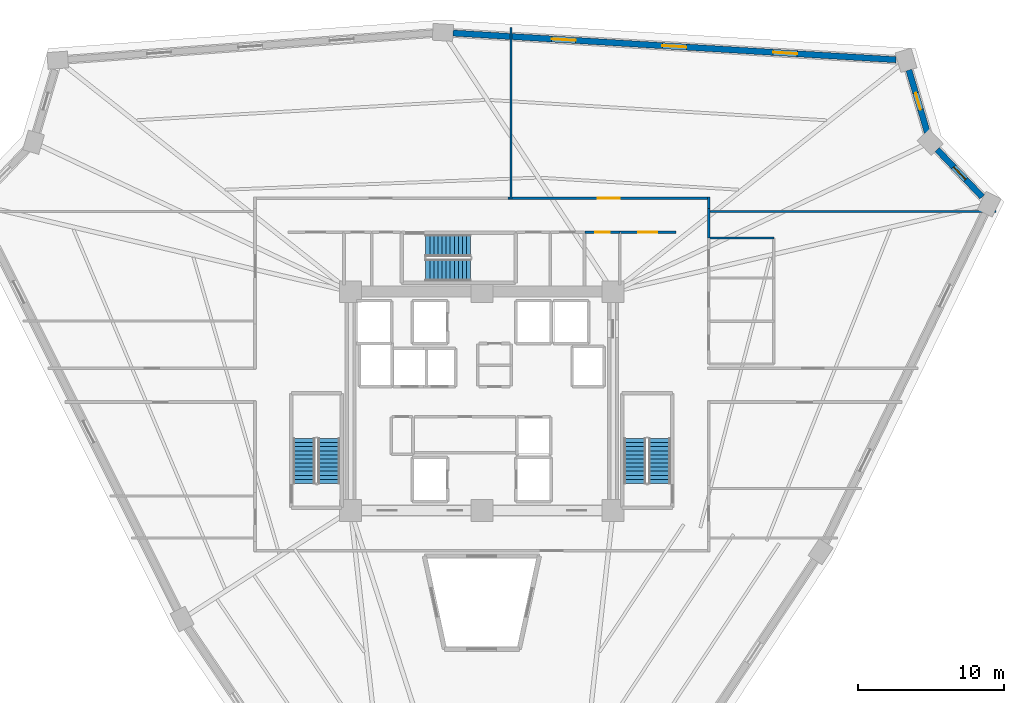
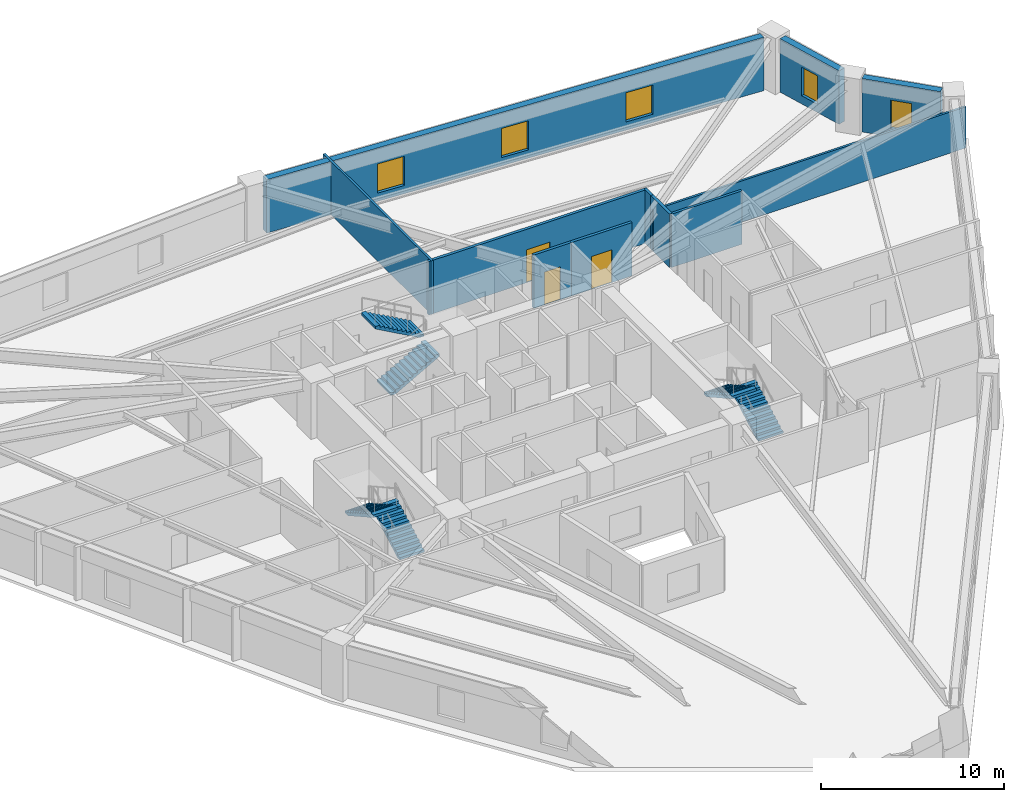
# One storey, part 7 of 8: 11 walls, 6 stair flights, 5 windows, 3 doors, 8 openings, 3 elements without a shape of their own.
"""IFC4 building model written with IfcOpenShell, lengths in metres."""

from ifc_helpers import new_model, si_unit, direction, frame, frame_2d, origin, place, context, subcontext, project, spatial, polyline, rectangle, outline, extrude, source, transform, mapped, material, layer, layer_set, type_object, element, fill, aggregate, save


model = new_model("IFC4")

# Units and contexts
model_context = context("Model", 3, precision=1e-05, world=origin(), true_north=direction((0.0, 1.0)))
body_context = subcontext(model_context, "Body", "Model", "MODEL_VIEW")
ifc_project = project(units=[si_unit("LENGTHUNIT", "METRE"), si_unit("AREAUNIT", "SQUARE_METRE"), si_unit("VOLUMEUNIT", "CUBIC_METRE"), si_unit("PLANEANGLEUNIT", "RADIAN"), si_unit("MASSUNIT", "GRAM", prefix="KILO")], contexts=[model_context])

# Site, building, storey
site_placement = place(None, origin())
site = spatial("IfcSite", under=ifc_project, at=site_placement, CompositionType="ELEMENT")
building_placement = place(site_placement, origin())
building = spatial("IfcBuilding", under=site, at=building_placement, Name="Liaohun Quay Tower", CompositionType="ELEMENT")
storey_placement = place(building_placement, frame((0.0, 0.0, 170.25)))
storey = spatial("IfcBuildingStorey", under=building, at=storey_placement, Name="L44", CompositionType="ELEMENT", Elevation=170.25)

# Wall, opening, window
ifc_material_1 = material(Name="Precast concrete C50 insulated sandwich", Category="concrete")
ifc_layer_1 = layer(ifc_material_1, 0.419921875, Name="Precast concrete C50 insulated sandwich", Category="concrete")
ifc_layer_set_1 = layer_set([ifc_layer_1], Name="Precast concrete C50 insulated sandwich")
wall_type_1 = type_object("IfcWallType", Name="WAL-EXT-Z12", PredefinedType="SOLIDWALL", material=ifc_layer_set_1)
wall_1_placement = place(storey_placement, frame((94.31103515625, 68.0029296875, 0.0), z_axis=(0.0, 0.0, 1.0), x_axis=(-0.689155878993, 0.724613120534, 0.0)))
wall_1 = element("IfcWall", 1, at=wall_1_placement, inside=storey, type_object=wall_type_1, Name="L44 Brutalist Precast Pier Wall 04", PredefinedType="SOLIDWALL", context=body_context, shape_type="SweptSolid", body=[
    extrude(rectangle(XDim=4.482421875, YDim=0.419921875, at=frame_2d((2.2412109375, 0.0))), origin(), (0.0, 0.0, 1.0), 3.570068359375),
])
shared_shape_1 = source(origin(), body_context, "Body", "SweptSolid", [
    extrude(rectangle(XDim=1.199951171875, YDim=1.89990234375, at=frame_2d((0.60009765625, 0.949951171875))), frame((0.0, 0.219970703125, 0.0), z_axis=(0.0, -1.0, 0.0), x_axis=(1.0, 0.0, 0.0)), (0.0, 0.0, 1.0), 0.43994140625),
])
opening_1_placement = place(wall_1_placement, frame((1.64111328125, 0.0, 0.550048828125)))
opening_1 = element("IfcOpeningElement", 2, at=opening_1_placement, cuts=wall_1, Name="Opening W05", PredefinedType="OPENING", context=body_context, shape_type="MappedRepresentation", body=[
    mapped(shared_shape_1, transform((0.0, 0.0, 0.0), x_axis=(1.0, 0.0, 0.0), y_axis=(0.0, 1.0, 0.0), z_axis=(0.0, 0.0, 1.0), scale=1.0)),
])
ifc_material_2 = material(Name="Triple Low-E corner notch glazing", Category="glass")
window_type_1 = type_object("IfcWindowType", Name="WIN-NOTCH", PartitioningType="SINGLE_PANEL", PredefinedType="WINDOW", material=ifc_material_2)
shared_shape_2 = source(origin(), body_context, "Body", "SweptSolid", [
    extrude(rectangle(XDim=1.199951171875, YDim=1.89990234375, at=frame_2d((0.60009765625, 0.949951171875))), frame((0.0, 0.030029296875, 0.0), z_axis=(0.0, -1.0, 0.0), x_axis=(1.0, 0.0, 0.0)), (0.0, 0.0, 1.0), 0.06005859375),
])
window_1_placement = place(opening_1_placement, origin())
window_1 = element("IfcWindow", 3, at=window_1_placement, inside=storey, type_object=window_type_1, Name="L44 Corner Notch Window W05-04", OverallHeight=1.89990234375, OverallWidth=1.199951171875, PartitioningType="SINGLE_PANEL", PredefinedType="WINDOW", context=body_context, shape_type="MappedRepresentation", body=[
    mapped(shared_shape_2, transform((0.0, 0.0, 0.0), x_axis=(1.0, 0.0, 0.0), y_axis=(0.0, 1.0, 0.0), z_axis=(0.0, 0.0, 1.0), scale=1.0)),
])
fill(opening_1, window_1)

wall_2_placement = place(storey_placement, frame((90.551025390625, 72.4130859375, 0.0), z_axis=(0.0, 0.0, 1.0), x_axis=(-0.28308162585, 0.959095820607, 0.0)))
wall_2 = element("IfcWall", 4, at=wall_2_placement, inside=storey, type_object=wall_type_1, Name="L44 Brutalist Precast Pier Wall 05", PredefinedType="SOLIDWALL", context=body_context, shape_type="SweptSolid", body=[
    extrude(rectangle(XDim=4.47607421875, YDim=0.419921875, at=frame_2d((2.238037109375, 0.0))), origin(), (0.0, 0.0, 1.0), 3.570068359375),
])
opening_2_placement = place(wall_2_placement, frame((1.637939453125, 0.0, 0.550048828125)))
opening_2 = element("IfcOpeningElement", 5, at=opening_2_placement, cuts=wall_2, Name="Opening W05", PredefinedType="OPENING", context=body_context, shape_type="MappedRepresentation", body=[
    mapped(shared_shape_1, transform((0.0, 0.0, 0.0), x_axis=(1.0, 0.0, 0.0), y_axis=(0.0, 1.0, 0.0), z_axis=(0.0, 0.0, 1.0), scale=1.0)),
])
window_2_placement = place(opening_2_placement, origin())
window_2 = element("IfcWindow", 6, at=window_2_placement, inside=storey, type_object=window_type_1, Name="L44 Corner Notch Window W05-05", OverallHeight=1.89990234375, OverallWidth=1.199951171875, PartitioningType="SINGLE_PANEL", PredefinedType="WINDOW", context=body_context, shape_type="MappedRepresentation", body=[
    mapped(shared_shape_2, transform((0.0, 0.0, 0.0), x_axis=(1.0, 0.0, 0.0), y_axis=(0.0, 1.0, 0.0), z_axis=(0.0, 0.0, 1.0), scale=1.0)),
])
fill(opening_2, window_2)

# Wall, openings, windows
wall_3_placement = place(storey_placement, frame((88.39990234375, 77.409912109375, 0.0), z_axis=(0.0, 0.0, 1.0), x_axis=(-0.998188812237, 0.060158915591, 0.0)))
wall_3 = element("IfcWall", 7, at=wall_3_placement, inside=storey, type_object=wall_type_1, Name="L44 Brutalist Precast Pier Wall 06", PredefinedType="SOLIDWALL", context=body_context, shape_type="SweptSolid", body=[
    extrude(rectangle(XDim=30.43701171875, YDim=0.419921875, at=frame_2d((15.218505859375, 0.0))), origin(), (0.0, 0.0, 1.0), 3.570068359375),
])
shared_shape_3 = source(origin(), body_context, "Body", "SweptSolid", [
    extrude(rectangle(XDim=1.64990234375, YDim=1.949951171875, at=frame_2d((0.824951171875, 0.97509765625))), frame((0.0, 0.219970703125, 0.0), z_axis=(0.0, -1.0, 0.0), x_axis=(1.0, 0.0, 0.0)), (0.0, 0.0, 1.0), 0.43994140625),
])
opening_3_placement = place(wall_3_placement, frame((6.783935546875, 0.0, 0.550048828125)))
opening_3 = element("IfcOpeningElement", 8, at=opening_3_placement, cuts=wall_3, Name="Opening W02", PredefinedType="OPENING", context=body_context, shape_type="MappedRepresentation", body=[
    mapped(shared_shape_3, transform((0.0, 0.0, 0.0), x_axis=(1.0, 0.0, 0.0), y_axis=(0.0, 1.0, 0.0), z_axis=(0.0, 0.0, 1.0), scale=1.0)),
])
opening_4_placement = place(wall_3_placement, frame((14.39404296875, 0.0, 0.550048828125)))
opening_4 = element("IfcOpeningElement", 9, at=opening_4_placement, cuts=wall_3, Name="Opening W02", PredefinedType="OPENING", context=body_context, shape_type="MappedRepresentation", body=[
    mapped(shared_shape_3, transform((0.0, 0.0, 0.0), x_axis=(1.0, 0.0, 0.0), y_axis=(0.0, 1.0, 0.0), z_axis=(0.0, 0.0, 1.0), scale=1.0)),
])
opening_5_placement = place(wall_3_placement, frame((22.0029296875, 0.0, 0.550048828125)))
opening_5 = element("IfcOpeningElement", 10, at=opening_5_placement, cuts=wall_3, Name="Opening W02", PredefinedType="OPENING", context=body_context, shape_type="MappedRepresentation", body=[
    mapped(shared_shape_3, transform((0.0, 0.0, 0.0), x_axis=(1.0, 0.0, 0.0), y_axis=(0.0, 1.0, 0.0), z_axis=(0.0, 0.0, 1.0), scale=1.0)),
])
ifc_material_3 = material(Name="Triple Low-E argon glazing in thermally broken aluminium", Category="aluminium")
window_type_2 = type_object("IfcWindowType", Name="WIN-PUN-Z2", PartitioningType="DOUBLE_PANEL_VERTICAL", PredefinedType="WINDOW", material=ifc_material_3)
shared_shape_4 = source(origin(), body_context, "Body", "SweptSolid", [
    extrude(rectangle(XDim=1.64990234375, YDim=1.949951171875, at=frame_2d((0.824951171875, 0.97509765625))), frame((0.0, 0.030029296875, 0.0), z_axis=(0.0, -1.0, 0.0), x_axis=(1.0, 0.0, 0.0)), (0.0, 0.0, 1.0), 0.06005859375),
])
window_3_placement = place(opening_3_placement, origin())
window_3 = element("IfcWindow", 11, at=window_3_placement, inside=storey, type_object=window_type_2, Name="L44 Recessed Cold-Climate Punched Window 06-1", OverallHeight=1.949951171875, OverallWidth=1.64990234375, PartitioningType="DOUBLE_PANEL_VERTICAL", PredefinedType="WINDOW", context=body_context, shape_type="MappedRepresentation", body=[
    mapped(shared_shape_4, transform((0.0, 0.0, 0.0), x_axis=(1.0, 0.0, 0.0), y_axis=(0.0, 1.0, 0.0), z_axis=(0.0, 0.0, 1.0), scale=1.0)),
])
fill(opening_3, window_3)
window_4_placement = place(opening_4_placement, origin())
window_4 = element("IfcWindow", 12, at=window_4_placement, inside=storey, type_object=window_type_2, Name="L44 Recessed Cold-Climate Punched Window 06-2", OverallHeight=1.949951171875, OverallWidth=1.64990234375, PartitioningType="DOUBLE_PANEL_VERTICAL", PredefinedType="WINDOW", context=body_context, shape_type="MappedRepresentation", body=[
    mapped(shared_shape_4, transform((0.0, 0.0, 0.0), x_axis=(1.0, 0.0, 0.0), y_axis=(0.0, 1.0, 0.0), z_axis=(0.0, 0.0, 1.0), scale=1.0)),
])
fill(opening_4, window_4)
window_5_placement = place(opening_5_placement, origin())
window_5 = element("IfcWindow", 13, at=window_5_placement, inside=storey, type_object=window_type_2, Name="L44 Recessed Cold-Climate Punched Window 06-3", OverallHeight=1.949951171875, OverallWidth=1.64990234375, PartitioningType="DOUBLE_PANEL_VERTICAL", PredefinedType="WINDOW", context=body_context, shape_type="MappedRepresentation", body=[
    mapped(shared_shape_4, transform((0.0, 0.0, 0.0), x_axis=(1.0, 0.0, 0.0), y_axis=(0.0, 1.0, 0.0), z_axis=(0.0, 0.0, 1.0), scale=1.0)),
])
fill(opening_5, window_5)

# Wall, opening, door
ifc_material_4 = material(Name="Autoclaved aerated concrete blockwork", Category="masonry")
ifc_layer_2 = layer(ifc_material_4, 0.179931640625, Name="Autoclaved aerated concrete blockwork", Category="masonry")
ifc_layer_set_2 = layer_set([ifc_layer_2], Name="Autoclaved aerated concrete blockwork")
wall_type_2 = type_object("IfcWallType", Name="WAL-PRT-COR", PredefinedType="PARTITIONING", material=ifc_layer_set_2)
wall_4_placement = place(storey_placement, frame((67.080078125, 65.580078125, 0.0), z_axis=(0.0, 0.0, 1.0), x_axis=(1.0, 0.0, 0.0)))
wall_4 = element("IfcWall", 14, at=wall_4_placement, inside=storey, type_object=wall_type_2, Name="L44 Interior Partition Wall 012", PredefinedType="PARTITIONING", context=body_context, shape_type="SweptSolid", body=[
    extrude(rectangle(XDim=2.3798828125, YDim=0.179931640625, at=frame_2d((1.18994140625, 0.0))), origin(), (0.0, 0.0, 1.0), 3.570068359375),
])
shared_shape_5 = source(origin(), body_context, "Body", "SweptSolid", [
    extrude(rectangle(XDim=1.0, YDim=2.199951171875, at=frame_2d((0.5, 1.10009765625))), frame((0.0, 0.099853515625, 0.0), z_axis=(0.0, -1.0, 0.0), x_axis=(1.0, 0.0, 0.0)), (0.0, 0.0, 1.0), 0.199951171875),
])
opening_6_placement = place(wall_4_placement, frame((0.68994140625, 0.0, 0.0)))
opening_6 = element("IfcOpeningElement", 15, at=opening_6_placement, cuts=wall_4, Name="Opening OD1", PredefinedType="OPENING", context=body_context, shape_type="MappedRepresentation", body=[
    mapped(shared_shape_5, transform((0.0, 0.0, 0.0), x_axis=(1.0, 0.0, 0.0), y_axis=(0.0, 1.0, 0.0), z_axis=(0.0, 0.0, 1.0), scale=1.0)),
])
ifc_material_5 = material(Name="Solid-core oak veneer timber leaf in steel frame", Category="steel")
door_type_1 = type_object("IfcDoorType", Name="DOR-OFF-1000", OperationType="NOTDEFINED", PredefinedType="DOOR", material=ifc_material_5)
shared_shape_6 = source(origin(), body_context, "Body", "SweptSolid", [
    extrude(rectangle(XDim=1.0, YDim=2.199951171875, at=frame_2d((0.5, 1.10009765625))), frame((0.0, 0.02490234375, 0.0), z_axis=(0.0, -1.0, 0.0), x_axis=(1.0, 0.0, 0.0)), (0.0, 0.0, 1.0), 0.050048828125),
])
door_1_placement = place(opening_6_placement, origin())
door_1 = element("IfcDoor", 16, at=door_1_placement, inside=storey, type_object=door_type_1, Name="L44 North-East Cleaner Store Door", OperationType="SINGLE_SWING_LEFT", OverallHeight=2.199951171875, OverallWidth=1.0, PredefinedType="DOOR", context=body_context, shape_type="MappedRepresentation", body=[
    mapped(shared_shape_6, transform((0.0, 0.0, 0.0), x_axis=(1.0, 0.0, 0.0), y_axis=(0.0, 1.0, 0.0), z_axis=(0.0, 0.0, 1.0), scale=1.0)),
])
fill(opening_6, door_1)

wall_5_placement = place(storey_placement, frame((69.4599609375, 65.580078125, 0.0), z_axis=(0.0, 0.0, 1.0), x_axis=(1.0, 0.0, 0.0)))
wall_5 = element("IfcWall", 17, at=wall_5_placement, inside=storey, type_object=wall_type_2, Name="L44 Interior Partition Wall 014", PredefinedType="PARTITIONING", context=body_context, shape_type="SweptSolid", body=[
    extrude(rectangle(XDim=3.840087890625, YDim=0.179931640625, at=frame_2d((1.919921875, 0.0))), origin(), (0.0, 0.0, 1.0), 3.570068359375),
])
shared_shape_7 = source(origin(), body_context, "Body", "SweptSolid", [
    extrude(rectangle(XDim=1.300048828125, YDim=2.199951171875, at=frame_2d((0.64990234375, 1.10009765625))), frame((0.0, 0.099853515625, 0.0), z_axis=(0.0, -1.0, 0.0), x_axis=(1.0, 0.0, 0.0)), (0.0, 0.0, 1.0), 0.199951171875),
])
opening_7_placement = place(wall_5_placement, frame((1.27001953125, 0.0, 0.0)))
opening_7 = element("IfcOpeningElement", 18, at=opening_7_placement, cuts=wall_5, Name="Opening FD1", PredefinedType="OPENING", context=body_context, shape_type="MappedRepresentation", body=[
    mapped(shared_shape_7, transform((0.0, 0.0, 0.0), x_axis=(1.0, 0.0, 0.0), y_axis=(0.0, 1.0, 0.0), z_axis=(0.0, 0.0, 1.0), scale=1.0)),
])
ifc_material_6 = material(Name="Galvanised steel smokeproof fire door", Category="steel")
door_type_2 = type_object("IfcDoorType", Name="DOR-FFL-1300", OperationType="NOTDEFINED", PredefinedType="DOOR", material=ifc_material_6)
shared_shape_8 = source(origin(), body_context, "Body", "SweptSolid", [
    extrude(rectangle(XDim=1.300048828125, YDim=2.199951171875, at=frame_2d((0.64990234375, 1.10009765625))), frame((0.0, 0.02490234375, 0.0), z_axis=(0.0, -1.0, 0.0), x_axis=(1.0, 0.0, 0.0)), (0.0, 0.0, 1.0), 0.050048828125),
])
door_2_placement = place(opening_7_placement, origin())
door_2 = element("IfcDoor", 19, at=door_2_placement, inside=storey, type_object=door_type_2, Name="L44 East Core Vestibule Door", OperationType="SINGLE_SWING_LEFT", OverallHeight=2.199951171875, OverallWidth=1.300048828125, PredefinedType="DOOR", context=body_context, shape_type="MappedRepresentation", body=[
    mapped(shared_shape_8, transform((0.0, 0.0, 0.0), x_axis=(1.0, 0.0, 0.0), y_axis=(0.0, 1.0, 0.0), z_axis=(0.0, 0.0, 1.0), scale=1.0)),
])
fill(opening_7, door_2)

wall_6_placement = place(storey_placement, frame((61.784912109375, 67.909912109375, 0.0), z_axis=(0.0, 0.0, 1.0), x_axis=(1.0, 0.0, 0.0)))
wall_6 = element("IfcWall", 20, at=wall_6_placement, inside=storey, type_object=wall_type_2, Name="L44 Interior Partition Wall 016", PredefinedType="PARTITIONING", context=body_context, shape_type="SweptSolid", body=[
    extrude(rectangle(XDim=13.844970703125, YDim=0.179931640625, at=frame_2d((6.92236328125, 0.0))), origin(), (0.0, 0.0, 1.0), 3.570068359375),
])
shared_shape_9 = source(origin(), body_context, "Body", "SweptSolid", [
    extrude(rectangle(XDim=1.5, YDim=2.199951171875, at=frame_2d((0.75, 1.10009765625))), frame((0.0, 0.099853515625, 0.0), z_axis=(0.0, -1.0, 0.0), x_axis=(1.0, 0.0, 0.0)), (0.0, 0.0, 1.0), 0.199951171875),
])
opening_8_placement = place(wall_6_placement, frame((6.172119140625, 0.0, 0.0)))
opening_8 = element("IfcOpeningElement", 21, at=opening_8_placement, cuts=wall_6, Name="Opening OD2", PredefinedType="OPENING", context=body_context, shape_type="MappedRepresentation", body=[
    mapped(shared_shape_9, transform((0.0, 0.0, 0.0), x_axis=(1.0, 0.0, 0.0), y_axis=(0.0, 1.0, 0.0), z_axis=(0.0, 0.0, 1.0), scale=1.0)),
])
ifc_material_7 = material(Name="Acoustic oak veneer double door")
door_type_3 = type_object("IfcDoorType", Name="DOR-OFF-1500", OperationType="DOUBLE_DOOR_SINGLE_SWING", PredefinedType="DOOR", material=ifc_material_7)
shared_shape_10 = source(origin(), body_context, "Body", "SweptSolid", [
    extrude(rectangle(XDim=1.5, YDim=2.199951171875, at=frame_2d((0.75, 1.10009765625))), frame((0.0, 0.02490234375, 0.0), z_axis=(0.0, -1.0, 0.0), x_axis=(1.0, 0.0, 0.0)), (0.0, 0.0, 1.0), 0.050048828125),
])
door_3_placement = place(opening_8_placement, origin())
door_3 = element("IfcDoor", 22, at=door_3_placement, inside=storey, type_object=door_type_3, Name="L44 Corporate Exhibition Gallery 02 Door", OperationType="DOUBLE_DOOR_SINGLE_SWING", OverallHeight=2.199951171875, OverallWidth=1.5, PredefinedType="DOOR", context=body_context, shape_type="MappedRepresentation", body=[
    mapped(shared_shape_10, transform((0.0, 0.0, 0.0), x_axis=(1.0, 0.0, 0.0), y_axis=(0.0, 1.0, 0.0), z_axis=(0.0, 0.0, 1.0), scale=1.0)),
])
fill(opening_8, door_3)

# Walls
wall_7_placement = place(storey_placement, frame((75.56005859375, 67.215087890625, 0.0), z_axis=(0.0, 0.0, 1.0), x_axis=(0.0, -1.0, 0.0)))
element("IfcWall", 23, at=wall_7_placement, inside=storey, type_object=wall_type_2, Name="L44 Interior Partition Wall 041", PredefinedType="PARTITIONING", context=body_context, shape_type="SweptSolid", body=[
    extrude(rectangle(XDim=2.03515625, YDim=0.179931640625, at=frame_2d((1.017578125, 0.0))), origin(), (0.0, 0.0, 1.0), 3.570068359375),
])
wall_8_placement = place(storey_placement, frame((75.56005859375, 67.97998046875, 0.0), z_axis=(0.0, 0.0, 1.0), x_axis=(0.0, -1.0, 0.0)))
element("IfcWall", 24, at=wall_8_placement, inside=storey, type_object=wall_type_2, Name="L44 Interior Partition Wall 042", PredefinedType="PARTITIONING", context=body_context, shape_type="SweptSolid", body=[
    extrude(rectangle(XDim=0.764892578125, YDim=0.179931640625, at=frame_2d((0.38232421875, 0.0))), origin(), (0.0, 0.0, 1.0), 3.570068359375),
])
ifc_material_8 = material(Name="Gypsum board on twin steel studs", Category="steel")
ifc_layer_3 = layer(ifc_material_8, 0.139892578125, Name="Gypsum board on twin steel studs", Category="steel")
ifc_layer_set_3 = layer_set([ifc_layer_3], Name="Gypsum board on twin steel studs")
wall_type_3 = type_object("IfcWallType", Name="WAL-PRT-OFF", PredefinedType="PARTITIONING", material=ifc_layer_set_3)
wall_9_placement = place(storey_placement, frame((75.4599609375, 67.0, 0.0), z_axis=(0.0, 0.0, 1.0), x_axis=(1.0, 0.0, 0.0)))
element("IfcWall", 25, at=wall_9_placement, inside=storey, type_object=wall_type_3, Name="L44 Interior Partition Wall 055", PredefinedType="PARTITIONING", context=body_context, shape_type="SweptSolid", body=[
    extrude(rectangle(XDim=19.783935546875, YDim=0.139892578125, at=frame_2d((9.89208984375, 0.0))), origin(), (0.0, 0.0, 1.0), 2.7548828125),
])
wall_10_placement = place(storey_placement, frame((62.0, 67.81005859375, 0.0), z_axis=(0.0, 0.0, 1.0), x_axis=(0.0, 1.0, 0.0)))
element("IfcWall", 26, at=wall_10_placement, inside=storey, type_object=wall_type_3, Name="L44 Interior Partition Wall 056", PredefinedType="PARTITIONING", context=body_context, shape_type="SweptSolid", body=[
    extrude(rectangle(XDim=11.822998046875, YDim=0.139892578125, at=frame_2d((5.91162109375, 0.0))), origin(), (0.0, 0.0, 1.0), 3.570068359375),
])
ifc_material_9 = material(Name="Moisture-resistant masonry blockwork", Category="masonry")
ifc_layer_4 = layer(ifc_material_9, 0.159912109375, Name="Moisture-resistant masonry blockwork", Category="masonry")
ifc_layer_set_4 = layer_set([ifc_layer_4], Name="Moisture-resistant masonry blockwork")
wall_type_4 = type_object("IfcWallType", Name="WAL-PRT-WET", PredefinedType="PARTITIONING", material=ifc_layer_set_4)
wall_11_placement = place(storey_placement, frame((75.56005859375, 65.179931640625, 0.0), z_axis=(0.0, 0.0, 1.0), x_axis=(1.0, 0.0, 0.0)))
element("IfcWall", 27, at=wall_11_placement, inside=storey, type_object=wall_type_4, Name="L44 Interior Partition Wall 035", PredefinedType="PARTITIONING", context=body_context, shape_type="SweptSolid", body=[
    extrude(rectangle(XDim=4.4599609375, YDim=0.159912109375, at=frame_2d((2.22998046875, 0.0))), origin(), (0.0, 0.0, 1.0), 3.570068359375),
])

# Stair, stair flights
ifc_material_10 = material(Name="Concrete C45", Category="concrete")
stair_type = type_object("IfcStairType", Name="STR-CORE-OFF", PredefinedType="HALF_TURN_STAIR", material=ifc_material_10)
stair_1_placement = place(storey_placement, origin())
stair_1 = element("IfcStair", 28, at=stair_1_placement, inside=storey, type_object=stair_type, Name="L44 Smokeproof Core Exit Stair ST-1", PredefinedType="HALF_TURN_STAIR")
stair_flight_type = type_object("IfcStairFlightType", Name="FLT-CORE-155", PredefinedType="STRAIGHT", material=ifc_material_10)
stair_flight_1_placement = place(storey_placement, frame((49.5048828125, 48.35009765625, 0.0), z_axis=(0.0, 0.0, 1.0), x_axis=(0.0, 1.0, 0.0)))
stair_flight_1 = element("IfcStairFlight", 29, at=stair_flight_1_placement, type_object=stair_flight_type, Name="ST-1 flight 1", NumberOfRisers=12, NumberOfTreads=11, PredefinedType="STRAIGHT", RiserHeight=0.15625, TreadLength=0.28, context=body_context, shape_type="SweptSolid", body=[
    extrude(outline(polyline([(0.0, 0.0), (0.0, 0.15625), (0.280029296875, 0.15625), (0.280029296875, 0.3125), (0.56005859375, 0.3125), (0.56005859375, 0.46875), (0.840087890625, 0.46875), (0.840087890625, 0.625), (1.1201171875, 0.625), (1.1201171875, 0.78125), (1.39990234375, 0.78125), (1.39990234375, 0.9375), (1.679931640625, 0.9375), (1.679931640625, 1.09375), (1.9599609375, 1.09375), (1.9599609375, 1.25), (2.239990234375, 1.25), (2.239990234375, 1.40625), (2.52001953125, 1.40625), (2.52001953125, 1.5625), (2.800048828125, 1.5625), (2.800048828125, 1.71875), (3.080078125, 1.71875), (3.080078125, 1.875), (3.080078125, 1.547119140625), (0.3076171875, 0.0), (0.0, 0.0)])), frame((0.0, 0.77490234375, 0.0), z_axis=(0.0, -1.0, 0.0), x_axis=(1.0, 0.0, 0.0)), (0.0, 0.0, 1.0), 1.550048828125),
])
stair_flight_2_placement = place(storey_placement, frame((47.81494140625, 51.429931640625, 1.875), z_axis=(0.0, 0.0, 1.0), x_axis=(0.0, -1.0, 0.0)))
stair_flight_2 = element("IfcStairFlight", 30, at=stair_flight_2_placement, type_object=stair_flight_type, Name="ST-1 flight 2", NumberOfRisers=12, NumberOfTreads=11, PredefinedType="STRAIGHT", RiserHeight=0.15625, TreadLength=0.28, context=body_context, shape_type="SweptSolid", body=[
    extrude(outline(polyline([(0.0, 0.0), (0.0, 0.15625), (0.280029296875, 0.15625), (0.280029296875, 0.3125), (0.56005859375, 0.3125), (0.56005859375, 0.46875), (0.840087890625, 0.46875), (0.840087890625, 0.625), (1.1201171875, 0.625), (1.1201171875, 0.78125), (1.39990234375, 0.78125), (1.39990234375, 0.9375), (1.679931640625, 0.9375), (1.679931640625, 1.09375), (1.9599609375, 1.09375), (1.9599609375, 1.25), (2.239990234375, 1.25), (2.239990234375, 1.40625), (2.52001953125, 1.40625), (2.52001953125, 1.5625), (2.800048828125, 1.5625), (2.800048828125, 1.71875), (3.080078125, 1.71875), (3.080078125, 1.875), (3.080078125, 1.547119140625), (0.3076171875, 0.0), (0.0, 0.0)])), frame((0.0, 0.77490234375, 0.0), z_axis=(0.0, -1.0, 0.0), x_axis=(1.0, 0.0, 0.0)), (0.0, 0.0, 1.0), 1.550048828125),
])
aggregate(stair_1, [stair_flight_1, stair_flight_2])

stair_2_placement = place(storey_placement, origin())
stair_2 = element("IfcStair", 31, at=stair_2_placement, inside=storey, type_object=stair_type, Name="L44 Smokeproof Core Exit Stair ST-2", PredefinedType="HALF_TURN_STAIR")
stair_flight_3_placement = place(storey_placement, frame((72.18505859375, 48.35009765625, 0.0), z_axis=(0.0, 0.0, 1.0), x_axis=(0.0, 1.0, 0.0)))
stair_flight_3 = element("IfcStairFlight", 32, at=stair_flight_3_placement, type_object=stair_flight_type, Name="ST-2 flight 1", NumberOfRisers=12, NumberOfTreads=11, PredefinedType="STRAIGHT", RiserHeight=0.15625, TreadLength=0.28, context=body_context, shape_type="SweptSolid", body=[
    extrude(outline(polyline([(0.0, 0.0), (0.0, 0.15625), (0.280029296875, 0.15625), (0.280029296875, 0.3125), (0.56005859375, 0.3125), (0.56005859375, 0.46875), (0.840087890625, 0.46875), (0.840087890625, 0.625), (1.1201171875, 0.625), (1.1201171875, 0.78125), (1.39990234375, 0.78125), (1.39990234375, 0.9375), (1.679931640625, 0.9375), (1.679931640625, 1.09375), (1.9599609375, 1.09375), (1.9599609375, 1.25), (2.239990234375, 1.25), (2.239990234375, 1.40625), (2.52001953125, 1.40625), (2.52001953125, 1.5625), (2.800048828125, 1.5625), (2.800048828125, 1.71875), (3.080078125, 1.71875), (3.080078125, 1.875), (3.080078125, 1.547119140625), (0.3076171875, 0.0), (0.0, 0.0)])), frame((0.0, 0.77490234375, 0.0), z_axis=(0.0, -1.0, 0.0), x_axis=(1.0, 0.0, 0.0)), (0.0, 0.0, 1.0), 1.550048828125),
])
stair_flight_4_placement = place(storey_placement, frame((70.4951171875, 51.429931640625, 1.875), z_axis=(0.0, 0.0, 1.0), x_axis=(0.0, -1.0, 0.0)))
stair_flight_4 = element("IfcStairFlight", 33, at=stair_flight_4_placement, type_object=stair_flight_type, Name="ST-2 flight 2", NumberOfRisers=12, NumberOfTreads=11, PredefinedType="STRAIGHT", RiserHeight=0.15625, TreadLength=0.28, context=body_context, shape_type="SweptSolid", body=[
    extrude(outline(polyline([(0.0, 0.0), (0.0, 0.15625), (0.280029296875, 0.15625), (0.280029296875, 0.3125), (0.56005859375, 0.3125), (0.56005859375, 0.46875), (0.840087890625, 0.46875), (0.840087890625, 0.625), (1.1201171875, 0.625), (1.1201171875, 0.78125), (1.39990234375, 0.78125), (1.39990234375, 0.9375), (1.679931640625, 0.9375), (1.679931640625, 1.09375), (1.9599609375, 1.09375), (1.9599609375, 1.25), (2.239990234375, 1.25), (2.239990234375, 1.40625), (2.52001953125, 1.40625), (2.52001953125, 1.5625), (2.800048828125, 1.5625), (2.800048828125, 1.71875), (3.080078125, 1.71875), (3.080078125, 1.875), (3.080078125, 1.547119140625), (0.3076171875, 0.0), (0.0, 0.0)])), frame((0.0, 0.77490234375, 0.0), z_axis=(0.0, -1.0, 0.0), x_axis=(1.0, 0.0, 0.0)), (0.0, 0.0, 1.0), 1.550048828125),
])
aggregate(stair_2, [stair_flight_3, stair_flight_4])

stair_3_placement = place(storey_placement, origin())
stair_3 = element("IfcStair", 34, at=stair_3_placement, inside=storey, type_object=stair_type, Name="L44 Smokeproof Core Exit Stair ST-3", PredefinedType="HALF_TURN_STAIR")
stair_flight_5_placement = place(storey_placement, frame((56.14990234375, 62.97509765625, 0.0), z_axis=(0.0, 0.0, 1.0), x_axis=(1.0, 0.0, 0.0)))
stair_flight_5 = element("IfcStairFlight", 35, at=stair_flight_5_placement, type_object=stair_flight_type, Name="ST-3 flight 1", NumberOfRisers=12, NumberOfTreads=11, PredefinedType="STRAIGHT", RiserHeight=0.15625, TreadLength=0.28, context=body_context, shape_type="SweptSolid", body=[
    extrude(outline(polyline([(0.0, 0.0), (0.0, 0.15625), (0.280029296875, 0.15625), (0.280029296875, 0.3125), (0.56005859375, 0.3125), (0.56005859375, 0.46875), (0.840087890625, 0.46875), (0.840087890625, 0.625), (1.1201171875, 0.625), (1.1201171875, 0.78125), (1.39990234375, 0.78125), (1.39990234375, 0.9375), (1.679931640625, 0.9375), (1.679931640625, 1.09375), (1.9599609375, 1.09375), (1.9599609375, 1.25), (2.239990234375, 1.25), (2.239990234375, 1.40625), (2.52001953125, 1.40625), (2.52001953125, 1.5625), (2.800048828125, 1.5625), (2.800048828125, 1.71875), (3.080078125, 1.71875), (3.080078125, 1.875), (3.080078125, 1.547119140625), (0.3076171875, 0.0), (0.0, 0.0)])), frame((0.0, 0.77490234375, 0.0), z_axis=(0.0, -1.0, 0.0), x_axis=(1.0, 0.0, 0.0)), (0.0, 0.0, 1.0), 1.550048828125),
])
stair_flight_6_placement = place(storey_placement, frame((59.22998046875, 64.6650390625, 1.875), z_axis=(0.0, 0.0, 1.0), x_axis=(-1.0, 0.0, 0.0)))
stair_flight_6 = element("IfcStairFlight", 36, at=stair_flight_6_placement, type_object=stair_flight_type, Name="ST-3 flight 2", NumberOfRisers=12, NumberOfTreads=11, PredefinedType="STRAIGHT", RiserHeight=0.15625, TreadLength=0.28, context=body_context, shape_type="SweptSolid", body=[
    extrude(outline(polyline([(0.0, 0.0), (0.0, 0.15625), (0.280029296875, 0.15625), (0.280029296875, 0.3125), (0.56005859375, 0.3125), (0.56005859375, 0.46875), (0.840087890625, 0.46875), (0.840087890625, 0.625), (1.1201171875, 0.625), (1.1201171875, 0.78125), (1.39990234375, 0.78125), (1.39990234375, 0.9375), (1.679931640625, 0.9375), (1.679931640625, 1.09375), (1.9599609375, 1.09375), (1.9599609375, 1.25), (2.239990234375, 1.25), (2.239990234375, 1.40625), (2.52001953125, 1.40625), (2.52001953125, 1.5625), (2.800048828125, 1.5625), (2.800048828125, 1.71875), (3.080078125, 1.71875), (3.080078125, 1.875), (3.080078125, 1.547119140625), (0.3076171875, 0.0), (0.0, 0.0)])), frame((0.0, 0.77490234375, 0.0), z_axis=(0.0, -1.0, 0.0), x_axis=(1.0, 0.0, 0.0)), (0.0, 0.0, 1.0), 1.550048828125),
])
aggregate(stair_3, [stair_flight_5, stair_flight_6])

save(model, "model.ifc")
